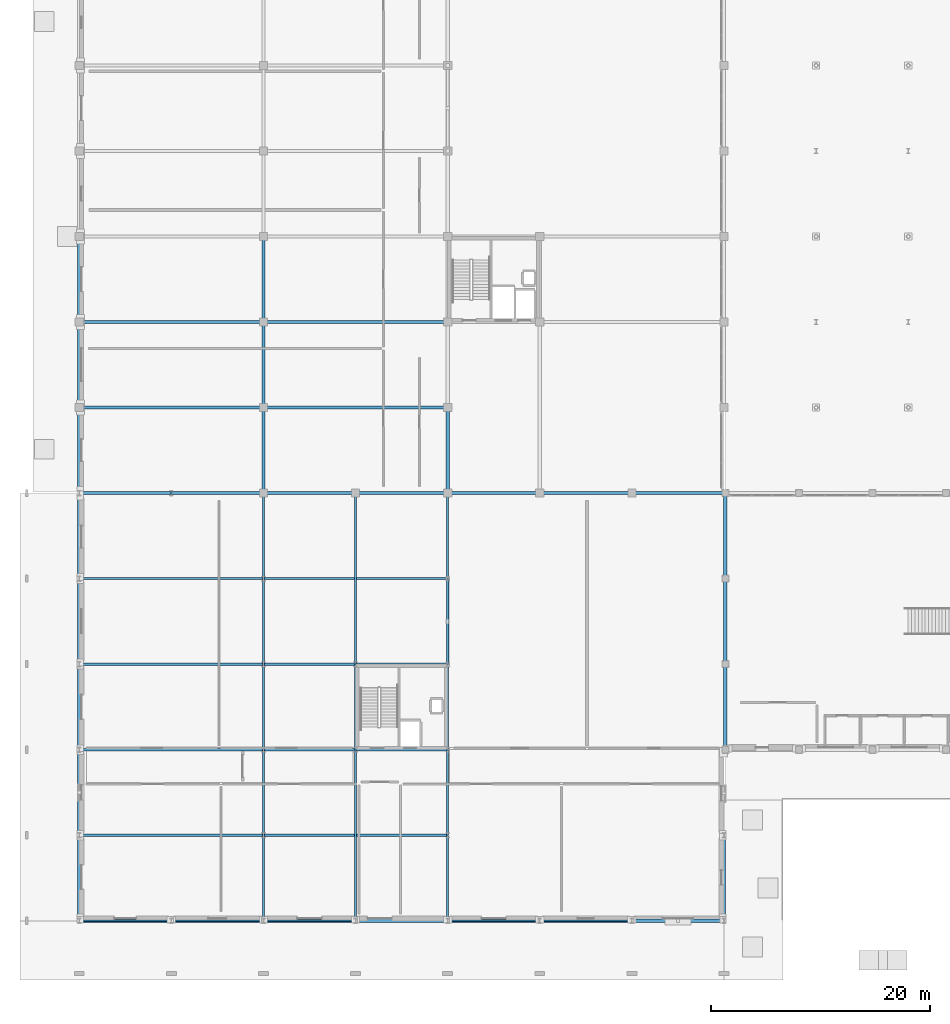
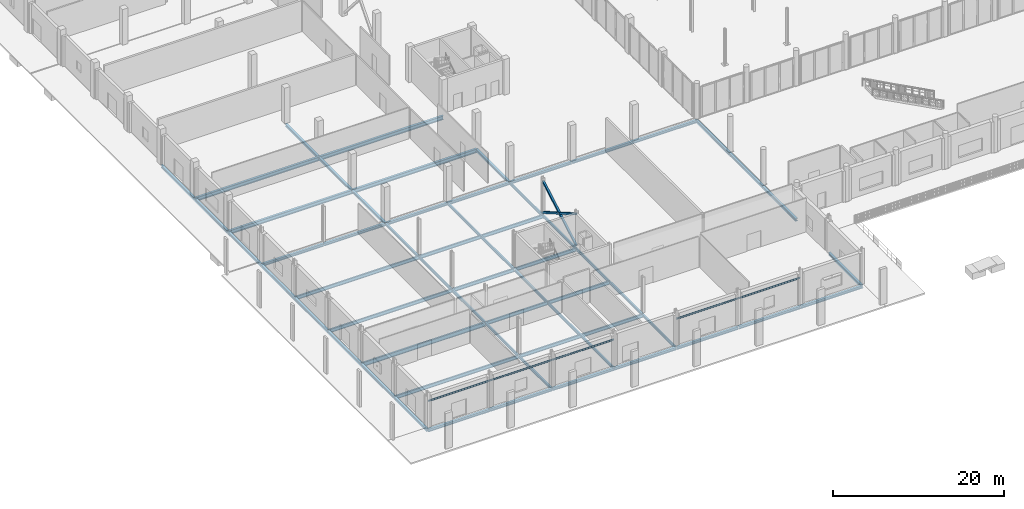
# One storey, part 21 of 80: 62 beams, 3 members.
"""IFC4 building model written with IfcOpenShell, lengths in metres."""

from ifc_helpers import new_model, si_unit, direction, frame, origin, origin_2d, place, context, subcontext, project, spatial, hollow_rectangle, i_section, extrude, material, material_profile, profile_set, type_object, element, save


model = new_model("IFC4")

# Units and contexts
model_context = context("Model", 3, precision=1e-05, world=origin(), true_north=direction((0.0, 1.0)))
body_context = subcontext(model_context, "Body", "Model", "MODEL_VIEW")
ifc_project = project(units=[si_unit("LENGTHUNIT", "METRE"), si_unit("AREAUNIT", "SQUARE_METRE"), si_unit("VOLUMEUNIT", "CUBIC_METRE"), si_unit("PLANEANGLEUNIT", "RADIAN"), si_unit("MASSUNIT", "GRAM", prefix="KILO")], contexts=[model_context])

# Site, building, storey
site_placement = place(None, origin())
site = spatial("IfcSite", under=ifc_project, at=site_placement, CompositionType="ELEMENT")
building_placement = place(site_placement, origin())
building = spatial("IfcBuilding", under=site, at=building_placement, Name="Nabrawat Pavilion Hospital", CompositionType="ELEMENT")
storey_placement = place(building_placement, origin())
storey = spatial("IfcBuildingStorey", under=building, at=storey_placement, Name="L00", CompositionType="ELEMENT", Elevation=0.0)

# Beams
ifc_material = material(Name="Steel S355", Category="steel")
ifc_material_profile_1 = material_profile(ifc_material, i_section(OverallWidth=0.110107421875, OverallDepth=0.219970703125, WebThickness=0.005859375, FlangeThickness=0.00927734375, FilletRadius=0.011962890625, at=origin_2d()), Name="IPE 220")
ifc_profile_set_1 = profile_set([ifc_material_profile_1], Name="Steel S355")
beam_type_1 = type_object("IfcBeamType", Name="Exterior Deep-Reveal Window Lintel IPE 220", PredefinedType="LINTEL", material=ifc_profile_set_1)
beam_1_placement = place(storey_placement, frame((0.02001953125, 0.0, 3.739990234375), z_axis=(1.0, 0.0, 0.0), x_axis=(0.0, 1.0, 0.0)))
element("IfcBeam", 1, at=beam_1_placement, inside=storey, type_object=beam_type_1, Name="L00 South Portal Transom Lintel 01", PredefinedType="LINTEL", context=body_context, shape_type="SweptSolid", body=[
    extrude(i_section(OverallWidth=0.110107421875, OverallDepth=0.219970703125, WebThickness=0.005859375, FlangeThickness=0.00927734375, FilletRadius=0.011962890625, at=origin_2d()), origin(), (0.0, 0.0, 1.0), 8.35986328125),
])
beam_2_placement = place(storey_placement, frame((8.419921875, 0.0, 3.739990234375), z_axis=(1.0, 0.0, 0.0), x_axis=(0.0, 1.0, 0.0)))
element("IfcBeam", 2, at=beam_2_placement, inside=storey, type_object=beam_type_1, Name="L00 South Portal Transom Lintel 02", PredefinedType="LINTEL", context=body_context, shape_type="SweptSolid", body=[
    extrude(i_section(OverallWidth=0.110107421875, OverallDepth=0.219970703125, WebThickness=0.005859375, FlangeThickness=0.00927734375, FilletRadius=0.011962890625, at=origin_2d()), origin(), (0.0, 0.0, 1.0), 8.360107421875),
])
for number, where, z_axis, x_axis, name in (
    (3, (16.820068359375, 0.0, 3.739990234375), (1.0, 0.0, 0.0), (0.0, 1.0, 0.0), "L00 South Portal Transom Lintel 03"),
    (4, (33.6201171875, 0.0, 3.739990234375), (1.0, 0.0, 0.0), (0.0, 1.0, 0.0), "L00 South Portal Transom Lintel 04"),
    (5, (42.02001953125, 0.0, 3.739990234375), (1.0, 0.0, 0.0), (0.0, 1.0, 0.0), "L00 South Portal Transom Lintel 05"),
):
    element("IfcBeam", number, at=place(storey_placement, frame(where, z_axis=z_axis, x_axis=x_axis)), inside=storey, type_object=beam_type_1, Name=name, PredefinedType="LINTEL", context=body_context, shape_type="SweptSolid", body=[
        extrude(i_section(OverallWidth=0.110107421875, OverallDepth=0.219970703125, WebThickness=0.005859375, FlangeThickness=0.00927734375, FilletRadius=0.011962890625, at=origin_2d()), origin(), (0.0, 0.0, 1.0), 8.35986328125),
    ])

# Members
ifc_material_profile_2 = material_profile(ifc_material, hollow_rectangle(XDim=0.25, YDim=0.25, WallThickness=0.012451171875, at=origin_2d()), Name="SHS 250x250x12.5")
ifc_profile_set_2 = profile_set([ifc_material_profile_2], Name="Steel S355")
member_type = type_object("IfcMemberType", Name="Lower Seismic Chevron Brace SHS 250x250x12.5", PredefinedType="BRACE", material=ifc_profile_set_2)
member_1_placement = place(storey_placement, frame((33.60009765625, 23.39990234375, 0.050048828125), z_axis=(0.0, 0.866186940118, 0.499720106428), x_axis=(-1.0, 0.0, 0.0)))
element("IfcMember", 6, at=member_1_placement, inside=storey, type_object=member_type, Name="L00 Seismic Continuous X-Brace Diagonal 004", PredefinedType="BRACE", context=body_context, shape_type="SweptSolid", body=[
    extrude(hollow_rectangle(XDim=0.25, YDim=0.25, WallThickness=0.012451171875, at=origin_2d()), origin(), (0.0, 0.0, 1.0), 9.005126953125),
])
member_2_placement = place(storey_placement, frame((33.60009765625, 23.39990234375, 4.550048828125), z_axis=(0.0, 0.866200492656, -0.49969661448), x_axis=(-1.0, 0.0, 0.0)))
element("IfcMember", 7, at=member_2_placement, inside=storey, type_object=member_type, Name="L00 Seismic Split X-Brace Upper Segment 005", PredefinedType="BRACE", context=body_context, shape_type="SweptSolid", body=[
    extrude(hollow_rectangle(XDim=0.25, YDim=0.25, WallThickness=0.012451171875, at=origin_2d()), origin(), (0.0, 0.0, 1.0), 4.362548828125),
])
member_3_placement = place(storey_placement, frame((33.60009765625, 27.42138671875, 2.22998046875), z_axis=(0.0, 0.866186517779, -0.499720838486), x_axis=(-1.0, 0.0, 0.0)))
element("IfcMember", 8, at=member_3_placement, inside=storey, type_object=member_type, Name="L00 Seismic Split X-Brace Lower Segment 006", PredefinedType="BRACE", context=body_context, shape_type="SweptSolid", body=[
    extrude(hollow_rectangle(XDim=0.25, YDim=0.25, WallThickness=0.012451171875, at=origin_2d()), origin(), (0.0, 0.0, 1.0), 4.3623046875),
])

# Beams
ifc_material_profile_3 = material_profile(ifc_material, i_section(OverallWidth=0.300048828125, OverallDepth=0.389892578125, WebThickness=0.010986328125, FlangeThickness=0.01904296875, FilletRadius=0.027099609375, at=origin_2d()), Name="HEA 400")
ifc_profile_set_3 = profile_set([ifc_material_profile_3], Name="Steel S355")
beam_type_2 = type_object("IfcBeamType", Name="Perimeter Moment Spandrel Beam HEA 400", PredefinedType="SPANDREL", material=ifc_profile_set_3)
beam_3_placement = place(storey_placement, frame((0.02001953125, 0.0, -0.445068359375), z_axis=(1.0, 0.0, 0.0), x_axis=(0.0, 1.0, 0.0)))
element("IfcBeam", 9, at=beam_3_placement, inside=storey, type_object=beam_type_2, Name="L00 Primary X Girder 1", PredefinedType="SPANDREL", context=body_context, shape_type="SweptSolid", body=[
    extrude(i_section(OverallWidth=0.300048828125, OverallDepth=0.389892578125, WebThickness=0.010986328125, FlangeThickness=0.01904296875, FilletRadius=0.027099609375, at=origin_2d()), origin(), (0.0, 0.0, 1.0), 8.35986328125),
])
beam_4_placement = place(storey_placement, frame((8.419921875, 0.0, -0.445068359375), z_axis=(1.0, 0.0, 0.0), x_axis=(0.0, 1.0, 0.0)))
element("IfcBeam", 10, at=beam_4_placement, inside=storey, type_object=beam_type_2, Name="L00 Primary X Girder 2", PredefinedType="SPANDREL", context=body_context, shape_type="SweptSolid", body=[
    extrude(i_section(OverallWidth=0.300048828125, OverallDepth=0.389892578125, WebThickness=0.010986328125, FlangeThickness=0.01904296875, FilletRadius=0.027099609375, at=origin_2d()), origin(), (0.0, 0.0, 1.0), 8.360107421875),
])
beam_5_placement = place(storey_placement, frame((16.820068359375, 0.0, -0.445068359375), z_axis=(1.0, 0.0, 0.0), x_axis=(0.0, 1.0, 0.0)))
element("IfcBeam", 11, at=beam_5_placement, inside=storey, type_object=beam_type_2, Name="L00 Primary X Girder 3", PredefinedType="SPANDREL", context=body_context, shape_type="SweptSolid", body=[
    extrude(i_section(OverallWidth=0.300048828125, OverallDepth=0.389892578125, WebThickness=0.010986328125, FlangeThickness=0.01904296875, FilletRadius=0.027099609375, at=origin_2d()), origin(), (0.0, 0.0, 1.0), 8.35986328125),
])
beam_6_placement = place(storey_placement, frame((25.219970703125, 0.0, -0.445068359375), z_axis=(1.0, 0.0, 0.0), x_axis=(0.0, 1.0, 0.0)))
element("IfcBeam", 12, at=beam_6_placement, inside=storey, type_object=beam_type_2, Name="L00 Primary X Girder 4", PredefinedType="SPANDREL", context=body_context, shape_type="SweptSolid", body=[
    extrude(i_section(OverallWidth=0.300048828125, OverallDepth=0.389892578125, WebThickness=0.010986328125, FlangeThickness=0.01904296875, FilletRadius=0.027099609375, at=origin_2d()), origin(), (0.0, 0.0, 1.0), 8.360107421875),
])
for number, where, z_axis, x_axis, name in (
    (13, (33.6201171875, 0.0, -0.445068359375), (1.0, 0.0, 0.0), (0.0, 1.0, 0.0), "L00 Primary X Girder 5"),
    (14, (42.02001953125, 0.0, -0.445068359375), (1.0, 0.0, 0.0), (0.0, 1.0, 0.0), "L00 Primary X Girder 6"),
):
    element("IfcBeam", number, at=place(storey_placement, frame(where, z_axis=z_axis, x_axis=x_axis)), inside=storey, type_object=beam_type_2, Name=name, PredefinedType="SPANDREL", context=body_context, shape_type="SweptSolid", body=[
        extrude(i_section(OverallWidth=0.300048828125, OverallDepth=0.389892578125, WebThickness=0.010986328125, FlangeThickness=0.01904296875, FilletRadius=0.027099609375, at=origin_2d()), origin(), (0.0, 0.0, 1.0), 8.35986328125),
    ])
beam_7_placement = place(storey_placement, frame((50.419921875, 0.0, -0.445068359375), z_axis=(1.0, 0.0, 0.0), x_axis=(0.0, 1.0, 0.0)))
element("IfcBeam", 15, at=beam_7_placement, inside=storey, type_object=beam_type_2, Name="L00 Primary X Girder 7", PredefinedType="SPANDREL", context=body_context, shape_type="SweptSolid", body=[
    extrude(i_section(OverallWidth=0.300048828125, OverallDepth=0.389892578125, WebThickness=0.010986328125, FlangeThickness=0.01904296875, FilletRadius=0.027099609375, at=origin_2d()), origin(), (0.0, 0.0, 1.0), 8.360107421875),
])
beam_8_placement = place(storey_placement, frame((0.02001953125, 39.0, -0.445068359375), z_axis=(1.0, 0.0, 0.0), x_axis=(0.0, 1.0, 0.0)))
element("IfcBeam", 16, at=beam_8_placement, inside=storey, type_object=beam_type_2, Name="L00 Primary X Girder 63", PredefinedType="SPANDREL", context=body_context, shape_type="SweptSolid", body=[
    extrude(i_section(OverallWidth=0.300048828125, OverallDepth=0.389892578125, WebThickness=0.010986328125, FlangeThickness=0.01904296875, FilletRadius=0.027099609375, at=origin_2d()), origin(), (0.0, 0.0, 1.0), 8.35986328125),
])
beam_9_placement = place(storey_placement, frame((8.419921875, 39.0, -0.445068359375), z_axis=(1.0, 0.0, 0.0), x_axis=(0.0, 1.0, 0.0)))
element("IfcBeam", 17, at=beam_9_placement, inside=storey, type_object=beam_type_2, Name="L00 Primary X Girder 64", PredefinedType="SPANDREL", context=body_context, shape_type="SweptSolid", body=[
    extrude(i_section(OverallWidth=0.300048828125, OverallDepth=0.389892578125, WebThickness=0.010986328125, FlangeThickness=0.01904296875, FilletRadius=0.027099609375, at=origin_2d()), origin(), (0.0, 0.0, 1.0), 8.360107421875),
])
beam_10_placement = place(storey_placement, frame((16.820068359375, 39.0, -0.445068359375), z_axis=(1.0, 0.0, 0.0), x_axis=(0.0, 1.0, 0.0)))
element("IfcBeam", 18, at=beam_10_placement, inside=storey, type_object=beam_type_2, Name="L00 Primary X Girder 65", PredefinedType="SPANDREL", context=body_context, shape_type="SweptSolid", body=[
    extrude(i_section(OverallWidth=0.300048828125, OverallDepth=0.389892578125, WebThickness=0.010986328125, FlangeThickness=0.01904296875, FilletRadius=0.027099609375, at=origin_2d()), origin(), (0.0, 0.0, 1.0), 8.35986328125),
])
beam_11_placement = place(storey_placement, frame((25.219970703125, 39.0, -0.445068359375), z_axis=(1.0, 0.0, 0.0), x_axis=(0.0, 1.0, 0.0)))
element("IfcBeam", 19, at=beam_11_placement, inside=storey, type_object=beam_type_2, Name="L00 Primary X Girder 66", PredefinedType="SPANDREL", context=body_context, shape_type="SweptSolid", body=[
    extrude(i_section(OverallWidth=0.300048828125, OverallDepth=0.389892578125, WebThickness=0.010986328125, FlangeThickness=0.01904296875, FilletRadius=0.027099609375, at=origin_2d()), origin(), (0.0, 0.0, 1.0), 8.360107421875),
])
for number, where, z_axis, x_axis, name in (
    (20, (33.6201171875, 39.0, -0.445068359375), (1.0, 0.0, 0.0), (0.0, 1.0, 0.0), "L00 Primary X Girder 67"),
    (21, (42.02001953125, 39.0, -0.445068359375), (1.0, 0.0, 0.0), (0.0, 1.0, 0.0), "L00 Primary X Girder 68"),
):
    element("IfcBeam", number, at=place(storey_placement, frame(where, z_axis=z_axis, x_axis=x_axis)), inside=storey, type_object=beam_type_2, Name=name, PredefinedType="SPANDREL", context=body_context, shape_type="SweptSolid", body=[
        extrude(i_section(OverallWidth=0.300048828125, OverallDepth=0.389892578125, WebThickness=0.010986328125, FlangeThickness=0.01904296875, FilletRadius=0.027099609375, at=origin_2d()), origin(), (0.0, 0.0, 1.0), 8.35986328125),
    ])
beam_12_placement = place(storey_placement, frame((50.419921875, 39.0, -0.445068359375), z_axis=(1.0, 0.0, 0.0), x_axis=(0.0, 1.0, 0.0)))
element("IfcBeam", 22, at=beam_12_placement, inside=storey, type_object=beam_type_2, Name="L00 Primary X Girder 69", PredefinedType="SPANDREL", context=body_context, shape_type="SweptSolid", body=[
    extrude(i_section(OverallWidth=0.300048828125, OverallDepth=0.389892578125, WebThickness=0.010986328125, FlangeThickness=0.01904296875, FilletRadius=0.027099609375, at=origin_2d()), origin(), (0.0, 0.0, 1.0), 8.47998046875),
])
for number, where, z_axis, x_axis, name in (
    (23, (0.0, 0.02001953125, -0.445068359375), (0.0, 1.0, 0.0), (-1.0, 0.0, 0.0), "L00 Primary Y Beam 236"),
    (24, (0.0, 7.820068359375, -0.445068359375), (0.0, 1.0, 0.0), (-1.0, 0.0, 0.0), "L00 Primary Y Beam 237"),
):
    element("IfcBeam", number, at=place(storey_placement, frame(where, z_axis=z_axis, x_axis=x_axis)), inside=storey, type_object=beam_type_2, Name=name, PredefinedType="SPANDREL", context=body_context, shape_type="SweptSolid", body=[
        extrude(i_section(OverallWidth=0.300048828125, OverallDepth=0.389892578125, WebThickness=0.010986328125, FlangeThickness=0.01904296875, FilletRadius=0.027099609375, at=origin_2d()), origin(), (0.0, 0.0, 1.0), 7.760009765625),
    ])
beam_13_placement = place(storey_placement, frame((0.0, 15.6201171875, -0.445068359375), z_axis=(0.0, 1.0, 0.0), x_axis=(-1.0, 0.0, 0.0)))
element("IfcBeam", 25, at=beam_13_placement, inside=storey, type_object=beam_type_2, Name="L00 Primary Y Beam 238", PredefinedType="SPANDREL", context=body_context, shape_type="SweptSolid", body=[
    extrude(i_section(OverallWidth=0.300048828125, OverallDepth=0.389892578125, WebThickness=0.010986328125, FlangeThickness=0.01904296875, FilletRadius=0.027099609375, at=origin_2d()), origin(), (0.0, 0.0, 1.0), 7.759765625),
])
for number, where, z_axis, x_axis, name in (
    (26, (0.0, 23.419921875, -0.445068359375), (0.0, 1.0, 0.0), (-1.0, 0.0, 0.0), "L00 Primary Y Beam 239"),
    (27, (0.0, 31.219970703125, -0.445068359375), (0.0, 1.0, 0.0), (-1.0, 0.0, 0.0), "L00 Primary Y Beam 240"),
    (28, (0.0, 39.02001953125, -0.445068359375), (0.0, 1.0, 0.0), (-1.0, 0.0, 0.0), "L00 Primary Y Beam 241"),
    (29, (0.0, 46.820068359375, -0.445068359375), (0.0, 1.0, 0.0), (-1.0, 0.0, 0.0), "L00 Primary Y Beam 242"),
):
    element("IfcBeam", number, at=place(storey_placement, frame(where, z_axis=z_axis, x_axis=x_axis)), inside=storey, type_object=beam_type_2, Name=name, PredefinedType="SPANDREL", context=body_context, shape_type="SweptSolid", body=[
        extrude(i_section(OverallWidth=0.300048828125, OverallDepth=0.389892578125, WebThickness=0.010986328125, FlangeThickness=0.01904296875, FilletRadius=0.027099609375, at=origin_2d()), origin(), (0.0, 0.0, 1.0), 7.760009765625),
    ])
beam_14_placement = place(storey_placement, frame((0.0, 54.6201171875, -0.445068359375), z_axis=(0.0, 1.0, 0.0), x_axis=(-1.0, 0.0, 0.0)))
element("IfcBeam", 30, at=beam_14_placement, inside=storey, type_object=beam_type_2, Name="L00 Primary Y Beam 243", PredefinedType="SPANDREL", context=body_context, shape_type="SweptSolid", body=[
    extrude(i_section(OverallWidth=0.300048828125, OverallDepth=0.389892578125, WebThickness=0.010986328125, FlangeThickness=0.01904296875, FilletRadius=0.027099609375, at=origin_2d()), origin(), (0.0, 0.0, 1.0), 7.759765625),
])
beam_15_placement = place(storey_placement, frame((58.800048828125, 0.02001953125, -0.445068359375), z_axis=(0.0, 1.0, 0.0), x_axis=(-1.0, 0.0, 0.0)))
element("IfcBeam", 31, at=beam_15_placement, inside=storey, type_object=beam_type_2, Name="L00 Primary Y Beam 289", PredefinedType="SPANDREL", context=body_context, shape_type="SweptSolid", body=[
    extrude(i_section(OverallWidth=0.300048828125, OverallDepth=0.389892578125, WebThickness=0.010986328125, FlangeThickness=0.01904296875, FilletRadius=0.027099609375, at=origin_2d()), origin(), (0.0, 0.0, 1.0), 7.760009765625),
])
beam_16_placement = place(storey_placement, frame((58.919921875, 15.6201171875, -0.455078125), z_axis=(0.0, 1.0, 0.0), x_axis=(-1.0, 0.0, 0.0)))
element("IfcBeam", 32, at=beam_16_placement, inside=storey, type_object=beam_type_2, Name="L00 Primary Y Beam 299", PredefinedType="SPANDREL", context=body_context, shape_type="SweptSolid", body=[
    extrude(i_section(OverallWidth=0.300048828125, OverallDepth=0.389892578125, WebThickness=0.010986328125, FlangeThickness=0.01904296875, FilletRadius=0.027099609375, at=origin_2d()), origin(), (0.0, 0.0, 1.0), 7.759765625),
])
for number, where, z_axis, x_axis, name in (
    (33, (58.919921875, 23.419921875, -0.455078125), (0.0, 1.0, 0.0), (-1.0, 0.0, 0.0), "L00 Primary Y Beam 300"),
    (34, (58.919921875, 31.219970703125, -0.455078125), (0.0, 1.0, 0.0), (-1.0, 0.0, 0.0), "L00 Primary Y Beam 301"),
):
    element("IfcBeam", number, at=place(storey_placement, frame(where, z_axis=z_axis, x_axis=x_axis)), inside=storey, type_object=beam_type_2, Name=name, PredefinedType="SPANDREL", context=body_context, shape_type="SweptSolid", body=[
        extrude(i_section(OverallWidth=0.300048828125, OverallDepth=0.389892578125, WebThickness=0.010986328125, FlangeThickness=0.01904296875, FilletRadius=0.027099609375, at=origin_2d()), origin(), (0.0, 0.0, 1.0), 7.760009765625),
    ])
ifc_material_profile_4 = material_profile(ifc_material, i_section(OverallWidth=0.300048828125, OverallDepth=0.550048828125, WebThickness=0.014892578125, FlangeThickness=0.029052734375, FilletRadius=0.027099609375, at=origin_2d()), Name="HEB 550")
ifc_profile_set_4 = profile_set([ifc_material_profile_4], Name="Steel S355")
beam_type_3 = type_object("IfcBeamType", Name="Primary Floor Girder HEB 550", PredefinedType="USERDEFINED", material=ifc_profile_set_4)
for number, where, z_axis, x_axis, name in (
    (35, (0.02001953125, 46.800048828125, -0.52490234375), (1.0, 0.0, 0.0), (0.0, 1.0, 0.0), "L00 Primary X Girder 88"),
    (36, (16.820068359375, 46.800048828125, -0.52490234375), (1.0, 0.0, 0.0), (0.0, 1.0, 0.0), "L00 Primary X Girder 89"),
    (37, (0.02001953125, 54.60009765625, -0.52490234375), (1.0, 0.0, 0.0), (0.0, 1.0, 0.0), "L00 Primary X Girder 98"),
    (38, (16.820068359375, 54.60009765625, -0.52490234375), (1.0, 0.0, 0.0), (0.0, 1.0, 0.0), "L00 Primary X Girder 99"),
):
    element("IfcBeam", number, at=place(storey_placement, frame(where, z_axis=z_axis, x_axis=x_axis)), inside=storey, type_object=beam_type_3, Name=name, ObjectType="GIRDER", PredefinedType="USERDEFINED", context=body_context, shape_type="SweptSolid", body=[
        extrude(i_section(OverallWidth=0.300048828125, OverallDepth=0.550048828125, WebThickness=0.014892578125, FlangeThickness=0.029052734375, FilletRadius=0.027099609375, at=origin_2d()), origin(), (0.0, 0.0, 1.0), 16.760009765625),
    ])
ifc_material_profile_5 = material_profile(ifc_material, i_section(OverallWidth=0.199951171875, OverallDepth=0.5, WebThickness=0.01025390625, FlangeThickness=0.01611328125, FilletRadius=0.02099609375, at=origin_2d()), Name="IPE 500")
ifc_profile_set_5 = profile_set([ifc_material_profile_5], Name="Steel S355")
beam_type_4 = type_object("IfcBeamType", Name="Standard X Floor Girder IPE 500", PredefinedType="USERDEFINED", material=ifc_profile_set_5)
for number, where, z_axis, x_axis, name in (
    (39, (0.02001953125, 7.800048828125, -0.5), (1.0, 0.0, 0.0), (0.0, 1.0, 0.0), "L00 Primary X Girder 16"),
    (40, (16.820068359375, 7.800048828125, -0.5), (1.0, 0.0, 0.0), (0.0, 1.0, 0.0), "L00 Primary X Girder 17"),
):
    element("IfcBeam", number, at=place(storey_placement, frame(where, z_axis=z_axis, x_axis=x_axis)), inside=storey, type_object=beam_type_4, Name=name, ObjectType="GIRDER", PredefinedType="USERDEFINED", context=body_context, shape_type="SweptSolid", body=[
        extrude(i_section(OverallWidth=0.199951171875, OverallDepth=0.5, WebThickness=0.01025390625, FlangeThickness=0.01611328125, FilletRadius=0.02099609375, at=origin_2d()), origin(), (0.0, 0.0, 1.0), 16.760009765625),
    ])
beam_17_placement = place(storey_placement, frame((16.820068359375, 15.60009765625, -0.5), z_axis=(1.0, 0.0, 0.0), x_axis=(0.0, 1.0, 0.0)))
element("IfcBeam", 41, at=beam_17_placement, inside=storey, type_object=beam_type_4, Name="L00 Primary X Girder 25", ObjectType="GIRDER", PredefinedType="USERDEFINED", context=body_context, shape_type="SweptSolid", body=[
    extrude(i_section(OverallWidth=0.199951171875, OverallDepth=0.5, WebThickness=0.01025390625, FlangeThickness=0.01611328125, FilletRadius=0.02099609375, at=origin_2d()), origin(), (0.0, 0.0, 1.0), 8.35986328125),
])
beam_18_placement = place(storey_placement, frame((25.219970703125, 15.60009765625, -0.5), z_axis=(1.0, 0.0, 0.0), x_axis=(0.0, 1.0, 0.0)))
element("IfcBeam", 42, at=beam_18_placement, inside=storey, type_object=beam_type_4, Name="L00 Primary X Girder 26", ObjectType="GIRDER", PredefinedType="USERDEFINED", context=body_context, shape_type="SweptSolid", body=[
    extrude(i_section(OverallWidth=0.199951171875, OverallDepth=0.5, WebThickness=0.01025390625, FlangeThickness=0.01611328125, FilletRadius=0.02099609375, at=origin_2d()), origin(), (0.0, 0.0, 1.0), 8.360107421875),
])
beam_19_placement = place(storey_placement, frame((0.02001953125, 23.39990234375, -0.5), z_axis=(1.0, 0.0, 0.0), x_axis=(0.0, 1.0, 0.0)))
element("IfcBeam", 43, at=beam_19_placement, inside=storey, type_object=beam_type_4, Name="L00 Primary X Girder 45", ObjectType="GIRDER", PredefinedType="USERDEFINED", context=body_context, shape_type="SweptSolid", body=[
    extrude(i_section(OverallWidth=0.199951171875, OverallDepth=0.5, WebThickness=0.01025390625, FlangeThickness=0.01611328125, FilletRadius=0.02099609375, at=origin_2d()), origin(), (0.0, 0.0, 1.0), 16.760009765625),
])
beam_20_placement = place(storey_placement, frame((16.820068359375, 23.39990234375, -0.5), z_axis=(1.0, 0.0, 0.0), x_axis=(0.0, 1.0, 0.0)))
element("IfcBeam", 44, at=beam_20_placement, inside=storey, type_object=beam_type_4, Name="L00 Primary X Girder 46", ObjectType="GIRDER", PredefinedType="USERDEFINED", context=body_context, shape_type="SweptSolid", body=[
    extrude(i_section(OverallWidth=0.199951171875, OverallDepth=0.5, WebThickness=0.01025390625, FlangeThickness=0.01611328125, FilletRadius=0.02099609375, at=origin_2d()), origin(), (0.0, 0.0, 1.0), 8.35986328125),
])
beam_21_placement = place(storey_placement, frame((25.219970703125, 23.39990234375, -0.5), z_axis=(1.0, 0.0, 0.0), x_axis=(0.0, 1.0, 0.0)))
element("IfcBeam", 45, at=beam_21_placement, inside=storey, type_object=beam_type_4, Name="L00 Primary X Girder 47", ObjectType="GIRDER", PredefinedType="USERDEFINED", context=body_context, shape_type="SweptSolid", body=[
    extrude(i_section(OverallWidth=0.199951171875, OverallDepth=0.5, WebThickness=0.01025390625, FlangeThickness=0.01611328125, FilletRadius=0.02099609375, at=origin_2d()), origin(), (0.0, 0.0, 1.0), 8.360107421875),
])
for number, where, z_axis, x_axis, name in (
    (46, (0.02001953125, 31.199951171875, -0.5), (1.0, 0.0, 0.0), (0.0, 1.0, 0.0), "L00 Primary X Girder 55"),
    (47, (16.820068359375, 31.199951171875, -0.5), (1.0, 0.0, 0.0), (0.0, 1.0, 0.0), "L00 Primary X Girder 56"),
):
    element("IfcBeam", number, at=place(storey_placement, frame(where, z_axis=z_axis, x_axis=x_axis)), inside=storey, type_object=beam_type_4, Name=name, ObjectType="GIRDER", PredefinedType="USERDEFINED", context=body_context, shape_type="SweptSolid", body=[
        extrude(i_section(OverallWidth=0.199951171875, OverallDepth=0.5, WebThickness=0.01025390625, FlangeThickness=0.01611328125, FilletRadius=0.02099609375, at=origin_2d()), origin(), (0.0, 0.0, 1.0), 16.760009765625),
    ])
ifc_material_profile_6 = material_profile(ifc_material, i_section(OverallWidth=0.179931640625, OverallDepth=0.39990234375, WebThickness=0.008544921875, FlangeThickness=0.013427734375, FilletRadius=0.02099609375, at=origin_2d()), Name="IPE 400")
ifc_profile_set_6 = profile_set([ifc_material_profile_6], Name="Steel S355")
beam_type_5 = type_object("IfcBeamType", Name="Standard Y Floor Beam IPE 400", PredefinedType="BEAM", material=ifc_profile_set_6)
for number, where, z_axis, x_axis, name in (
    (48, (16.800048828125, 0.02001953125, -0.449951171875), (0.0, 1.0, 0.0), (-1.0, 0.0, 0.0), "L00 Primary Y Beam 251"),
    (49, (16.800048828125, 7.820068359375, -0.449951171875), (0.0, 1.0, 0.0), (-1.0, 0.0, 0.0), "L00 Primary Y Beam 252"),
):
    element("IfcBeam", number, at=place(storey_placement, frame(where, z_axis=z_axis, x_axis=x_axis)), inside=storey, type_object=beam_type_5, Name=name, PredefinedType="BEAM", context=body_context, shape_type="SweptSolid", body=[
        extrude(i_section(OverallWidth=0.179931640625, OverallDepth=0.39990234375, WebThickness=0.008544921875, FlangeThickness=0.013427734375, FilletRadius=0.02099609375, at=origin_2d()), origin(), (0.0, 0.0, 1.0), 7.760009765625),
    ])
beam_22_placement = place(storey_placement, frame((16.800048828125, 15.6201171875, -0.449951171875), z_axis=(0.0, 1.0, 0.0), x_axis=(-1.0, 0.0, 0.0)))
element("IfcBeam", 50, at=beam_22_placement, inside=storey, type_object=beam_type_5, Name="L00 Primary Y Beam 253", PredefinedType="BEAM", context=body_context, shape_type="SweptSolid", body=[
    extrude(i_section(OverallWidth=0.179931640625, OverallDepth=0.39990234375, WebThickness=0.008544921875, FlangeThickness=0.013427734375, FilletRadius=0.02099609375, at=origin_2d()), origin(), (0.0, 0.0, 1.0), 7.759765625),
])
for number, where, z_axis, x_axis, name in (
    (51, (16.800048828125, 23.419921875, -0.449951171875), (0.0, 1.0, 0.0), (-1.0, 0.0, 0.0), "L00 Primary Y Beam 254"),
    (52, (16.800048828125, 31.219970703125, -0.449951171875), (0.0, 1.0, 0.0), (-1.0, 0.0, 0.0), "L00 Primary Y Beam 255"),
):
    element("IfcBeam", number, at=place(storey_placement, frame(where, z_axis=z_axis, x_axis=x_axis)), inside=storey, type_object=beam_type_5, Name=name, PredefinedType="BEAM", context=body_context, shape_type="SweptSolid", body=[
        extrude(i_section(OverallWidth=0.179931640625, OverallDepth=0.39990234375, WebThickness=0.008544921875, FlangeThickness=0.013427734375, FilletRadius=0.02099609375, at=origin_2d()), origin(), (0.0, 0.0, 1.0), 7.760009765625),
    ])
beam_23_placement = place(storey_placement, frame((25.199951171875, 0.02001953125, -0.449951171875), z_axis=(0.0, 1.0, 0.0), x_axis=(-1.0, 0.0, 0.0)))
element("IfcBeam", 53, at=beam_23_placement, inside=storey, type_object=beam_type_5, Name="L00 Primary Y Beam 266", PredefinedType="BEAM", context=body_context, shape_type="SweptSolid", body=[
    extrude(i_section(OverallWidth=0.179931640625, OverallDepth=0.39990234375, WebThickness=0.008544921875, FlangeThickness=0.013427734375, FilletRadius=0.02099609375, at=origin_2d()), origin(), (0.0, 0.0, 1.0), 15.56005859375),
])
beam_24_placement = place(storey_placement, frame((25.199951171875, 15.6201171875, -0.449951171875), z_axis=(0.0, 1.0, 0.0), x_axis=(-1.0, 0.0, 0.0)))
element("IfcBeam", 54, at=beam_24_placement, inside=storey, type_object=beam_type_5, Name="L00 Primary Y Beam 267", PredefinedType="BEAM", context=body_context, shape_type="SweptSolid", body=[
    extrude(i_section(OverallWidth=0.179931640625, OverallDepth=0.39990234375, WebThickness=0.008544921875, FlangeThickness=0.013427734375, FilletRadius=0.02099609375, at=origin_2d()), origin(), (0.0, 0.0, 1.0), 7.759765625),
])
beam_25_placement = place(storey_placement, frame((25.199951171875, 23.419921875, -0.449951171875), z_axis=(0.0, 1.0, 0.0), x_axis=(-1.0, 0.0, 0.0)))
element("IfcBeam", 55, at=beam_25_placement, inside=storey, type_object=beam_type_5, Name="L00 Primary Y Beam 268", PredefinedType="BEAM", context=body_context, shape_type="SweptSolid", body=[
    extrude(i_section(OverallWidth=0.179931640625, OverallDepth=0.39990234375, WebThickness=0.008544921875, FlangeThickness=0.013427734375, FilletRadius=0.02099609375, at=origin_2d()), origin(), (0.0, 0.0, 1.0), 15.56005859375),
])
for number, where, z_axis, x_axis, name in (
    (56, (33.60009765625, 0.02001953125, -0.449951171875), (0.0, 1.0, 0.0), (-1.0, 0.0, 0.0), "L00 Primary Y Beam 272"),
    (57, (33.60009765625, 7.820068359375, -0.449951171875), (0.0, 1.0, 0.0), (-1.0, 0.0, 0.0), "L00 Primary Y Beam 273"),
):
    element("IfcBeam", number, at=place(storey_placement, frame(where, z_axis=z_axis, x_axis=x_axis)), inside=storey, type_object=beam_type_5, Name=name, PredefinedType="BEAM", context=body_context, shape_type="SweptSolid", body=[
        extrude(i_section(OverallWidth=0.179931640625, OverallDepth=0.39990234375, WebThickness=0.008544921875, FlangeThickness=0.013427734375, FilletRadius=0.02099609375, at=origin_2d()), origin(), (0.0, 0.0, 1.0), 7.760009765625),
    ])
beam_26_placement = place(storey_placement, frame((33.60009765625, 15.6201171875, -0.449951171875), z_axis=(0.0, 1.0, 0.0), x_axis=(-1.0, 0.0, 0.0)))
element("IfcBeam", 58, at=beam_26_placement, inside=storey, type_object=beam_type_5, Name="L00 Primary Y Beam 274", PredefinedType="BEAM", context=body_context, shape_type="SweptSolid", body=[
    extrude(i_section(OverallWidth=0.179931640625, OverallDepth=0.39990234375, WebThickness=0.008544921875, FlangeThickness=0.013427734375, FilletRadius=0.02099609375, at=origin_2d()), origin(), (0.0, 0.0, 1.0), 7.759765625),
])
for number, where, z_axis, x_axis, name in (
    (59, (33.60009765625, 23.419921875, -0.449951171875), (0.0, 1.0, 0.0), (-1.0, 0.0, 0.0), "L00 Primary Y Beam 275"),
    (60, (33.60009765625, 31.219970703125, -0.449951171875), (0.0, 1.0, 0.0), (-1.0, 0.0, 0.0), "L00 Primary Y Beam 276"),
):
    element("IfcBeam", number, at=place(storey_placement, frame(where, z_axis=z_axis, x_axis=x_axis)), inside=storey, type_object=beam_type_5, Name=name, PredefinedType="BEAM", context=body_context, shape_type="SweptSolid", body=[
        extrude(i_section(OverallWidth=0.179931640625, OverallDepth=0.39990234375, WebThickness=0.008544921875, FlangeThickness=0.013427734375, FilletRadius=0.02099609375, at=origin_2d()), origin(), (0.0, 0.0, 1.0), 7.760009765625),
    ])
ifc_material_profile_7 = material_profile(ifc_material, i_section(OverallWidth=0.300048828125, OverallDepth=0.35009765625, WebThickness=0.009521484375, FlangeThickness=0.017578125, FilletRadius=0.027099609375, at=origin_2d()), Name="HEA 360")
ifc_profile_set_7 = profile_set([ifc_material_profile_7], Name="Steel S355")
beam_type_6 = type_object("IfcBeamType", Name="Surgical Stiffened Beam HEA 360", PredefinedType="BEAM", material=ifc_profile_set_7)
for number, where, z_axis, x_axis, name in (
    (61, (16.800048828125, 39.02001953125, -0.425048828125), (0.0, 1.0, 0.0), (-1.0, 0.0, 0.0), "L00 Primary Y Beam 256"),
    (62, (16.800048828125, 46.820068359375, -0.425048828125), (0.0, 1.0, 0.0), (-1.0, 0.0, 0.0), "L00 Primary Y Beam 257"),
):
    element("IfcBeam", number, at=place(storey_placement, frame(where, z_axis=z_axis, x_axis=x_axis)), inside=storey, type_object=beam_type_6, Name=name, PredefinedType="BEAM", context=body_context, shape_type="SweptSolid", body=[
        extrude(i_section(OverallWidth=0.300048828125, OverallDepth=0.35009765625, WebThickness=0.009521484375, FlangeThickness=0.017578125, FilletRadius=0.027099609375, at=origin_2d()), origin(), (0.0, 0.0, 1.0), 7.760009765625),
    ])
beam_27_placement = place(storey_placement, frame((16.800048828125, 54.6201171875, -0.425048828125), z_axis=(0.0, 1.0, 0.0), x_axis=(-1.0, 0.0, 0.0)))
element("IfcBeam", 63, at=beam_27_placement, inside=storey, type_object=beam_type_6, Name="L00 Primary Y Beam 258", PredefinedType="BEAM", context=body_context, shape_type="SweptSolid", body=[
    extrude(i_section(OverallWidth=0.300048828125, OverallDepth=0.35009765625, WebThickness=0.009521484375, FlangeThickness=0.017578125, FilletRadius=0.027099609375, at=origin_2d()), origin(), (0.0, 0.0, 1.0), 7.759765625),
])
beam_28_placement = place(storey_placement, frame((33.60009765625, 39.02001953125, -0.425048828125), z_axis=(0.0, 1.0, 0.0), x_axis=(-1.0, 0.0, 0.0)))
element("IfcBeam", 64, at=beam_28_placement, inside=storey, type_object=beam_type_6, Name="L00 Primary Y Beam 277", PredefinedType="BEAM", context=body_context, shape_type="SweptSolid", body=[
    extrude(i_section(OverallWidth=0.300048828125, OverallDepth=0.35009765625, WebThickness=0.009521484375, FlangeThickness=0.017578125, FilletRadius=0.027099609375, at=origin_2d()), origin(), (0.0, 0.0, 1.0), 7.760009765625),
])
ifc_material_profile_8 = material_profile(ifc_material, i_section(OverallWidth=0.219970703125, OverallDepth=0.60009765625, WebThickness=0.011962890625, FlangeThickness=0.01904296875, FilletRadius=0.02392578125, at=origin_2d()), Name="IPE 600")
ifc_profile_set_8 = profile_set([ifc_material_profile_8], Name="Steel S355")
beam_type_7 = type_object("IfcBeamType", Name="Wide-Bay Floor Girder IPE 600", PredefinedType="USERDEFINED", material=ifc_profile_set_8)
beam_29_placement = place(storey_placement, frame((0.02001953125, 15.60009765625, -0.550048828125), z_axis=(1.0, 0.0, 0.0), x_axis=(0.0, 1.0, 0.0)))
element("IfcBeam", 65, at=beam_29_placement, inside=storey, type_object=beam_type_7, Name="L00 Primary X Girder 24", ObjectType="GIRDER", PredefinedType="USERDEFINED", context=body_context, shape_type="SweptSolid", body=[
    extrude(i_section(OverallWidth=0.219970703125, OverallDepth=0.60009765625, WebThickness=0.011962890625, FlangeThickness=0.01904296875, FilletRadius=0.02392578125, at=origin_2d()), origin(), (0.0, 0.0, 1.0), 16.760009765625),
])

save(model, "model.ifc")
